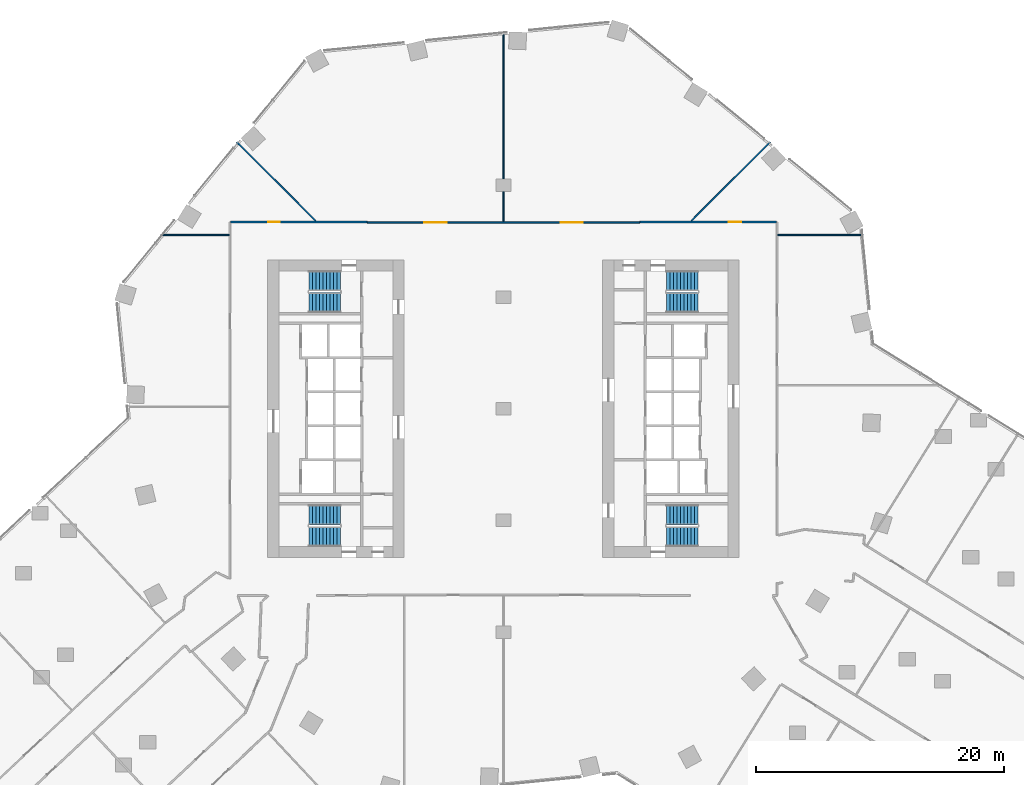
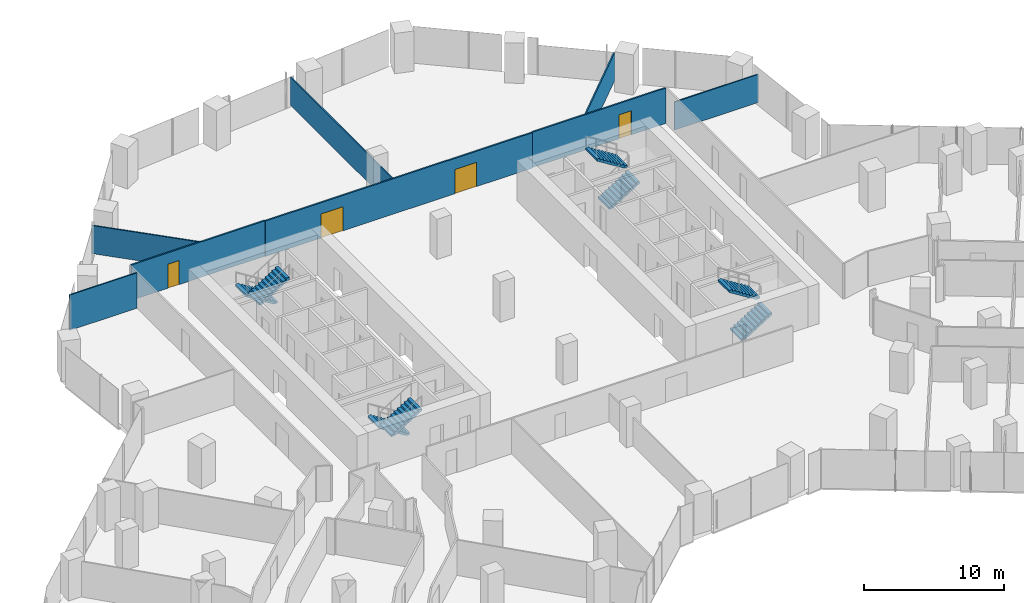
# One storey, part 32 of 33: 8 stair flights, 8 walls, 4 doors, 4 openings, 4 elements without a shape of their own.
"""IFC4 building model written with IfcOpenShell, lengths in metres."""

from ifc_helpers import new_model, si_unit, direction, frame, frame_2d, origin, place, context, subcontext, project, spatial, polyline, rectangle, outline, extrude, material, layer, layer_set, type_object, element, fill, aggregate, save


model = new_model("IFC4")

# Units and contexts
model_context = context("Model", 3, precision=1e-05, world=origin(), true_north=direction((0.0, 1.0)))
body_context = subcontext(model_context, "Body", "Model", "MODEL_VIEW")
ifc_project = project(units=[si_unit("LENGTHUNIT", "METRE"), si_unit("AREAUNIT", "SQUARE_METRE"), si_unit("VOLUMEUNIT", "CUBIC_METRE"), si_unit("PLANEANGLEUNIT", "RADIAN"), si_unit("MASSUNIT", "GRAM", prefix="KILO")], contexts=[model_context])

# Site, building, storey
site_placement = place(None, origin())
site = spatial("IfcSite", under=ifc_project, at=site_placement, CompositionType="ELEMENT")
building_placement = place(site_placement, origin())
building = spatial("IfcBuilding", under=site, at=building_placement, Name="Orlundy Tower", CompositionType="ELEMENT")
storey_placement = place(building_placement, frame((0.0, 0.0, 51.300048828125)))
storey = spatial("IfcBuildingStorey", under=building, at=storey_placement, Name="L11", CompositionType="ELEMENT", Elevation=51.300048828125)

# Walls
ifc_material_1 = material(Name="Gypsum board partition")
ifc_layer_1 = layer(ifc_material_1, 0.10009765625)
ifc_layer_set_1 = layer_set([ifc_layer_1], Name="Floor partition 100")
wall_type_1 = type_object("IfcWallType", Name="Floor partition 100", PredefinedType="PARTITIONING", material=ifc_layer_set_1)
wall_1_placement = place(storey_placement, frame((-27.635986328125, 14.0, 0.0), z_axis=(0.0, 0.0, 1.0), x_axis=(1.0, 0.0, 0.0)))
element("IfcWall", 1, at=wall_1_placement, inside=storey, type_object=wall_type_1, Name="wall-int-L11-037", PredefinedType="PARTITIONING", context=body_context, shape_type="SweptSolid", body=[
    extrude(rectangle(XDim=5.52294921875, YDim=0.10009765625, at=frame_2d((2.761474609375, 0.0))), origin(), (0.0, 0.0, 1.0), 3.079833984375),
])
ifc_material_2 = material(Name="Gypsum board partition")
ifc_layer_2 = layer(ifc_material_2, 0.10009765625)
ifc_layer_set_2 = layer_set([ifc_layer_2], Name="Floor partition 100 B")
wall_type_2 = type_object("IfcWallType", Name="Floor partition 100 B", PredefinedType="PARTITIONING", material=ifc_layer_set_2)
wall_2_placement = place(storey_placement, frame((-21.4951171875, 21.493896484375, 0.0), z_axis=(0.0, 0.0, 1.0), x_axis=(0.707120384757, -0.707093177355, 0.0)))
element("IfcWall", 2, at=wall_2_placement, inside=storey, type_object=wall_type_2, Name="wall-int-L11-016", PredefinedType="PARTITIONING", context=body_context, shape_type="SweptSolid", body=[
    extrude(rectangle(XDim=8.973388671875, YDim=0.10009765625, at=frame_2d((4.48681640625, 0.0))), origin(), (0.0, 0.0, 1.0), 2.445068359375),
])
wall_3_placement = place(storey_placement, frame((22.113037109375, 14.0, 0.0), z_axis=(0.0, 0.0, 1.0), x_axis=(1.0, 0.0, 0.0)))
element("IfcWall", 3, at=wall_3_placement, inside=storey, type_object=wall_type_2, Name="wall-int-L11-038", PredefinedType="PARTITIONING", context=body_context, shape_type="SweptSolid", body=[
    extrude(rectangle(XDim=6.89599609375, YDim=0.10009765625, at=frame_2d((3.447998046875, 0.0))), origin(), (0.0, 0.0, 1.0), 2.445068359375),
])
wall_4_placement = place(storey_placement, frame((15.14892578125, 15.14892578125, 0.0), z_axis=(0.0, 0.0, 1.0), x_axis=(0.707106781187, 0.707106781187, 0.0)))
element("IfcWall", 4, at=wall_4_placement, inside=storey, type_object=wall_type_2, Name="wall-int-L11-056", PredefinedType="PARTITIONING", context=body_context, shape_type="SweptSolid", body=[
    extrude(rectangle(XDim=8.974853515625, YDim=0.10009765625, at=frame_2d((4.4873046875, 0.0))), origin(), (0.0, 0.0, 1.0), 2.445068359375),
])
wall_5_placement = place(storey_placement, frame((0.0, 15.06298828125, 0.0), z_axis=(0.0, 0.0, 1.0), x_axis=(0.0, 1.0, 0.0)))
element("IfcWall", 5, at=wall_5_placement, inside=storey, type_object=wall_type_2, Name="wall-int-L11-079", PredefinedType="PARTITIONING", context=body_context, shape_type="SweptSolid", body=[
    extrude(rectangle(XDim=15.3349609375, YDim=0.10009765625, at=frame_2d((7.66748046875, 0.0))), origin(), (0.0, 0.0, 1.0), 2.445068359375),
])

# Wall, openings, doors
ifc_material_3 = material(Name="Gypsum board partition, double layer")
ifc_layer_3 = layer(ifc_material_3, 0.125)
ifc_layer_set_3 = layer_set([ifc_layer_3], Name="Floor partition 125")
wall_type_3 = type_object("IfcWallType", Name="Floor partition 125", PredefinedType="PARTITIONING", material=ifc_layer_set_3)
wall_6_placement = place(storey_placement, frame((-10.989990234375, 15.0009765625, 0.0), z_axis=(0.0, 0.0, 1.0), x_axis=(1.0, 0.0, 0.0)))
wall_6 = element("IfcWall", 6, at=wall_6_placement, inside=storey, type_object=wall_type_3, Name="wall-int-L11-039", PredefinedType="PARTITIONING", context=body_context, shape_type="SweptSolid", body=[
    extrude(rectangle(XDim=21.97998046875, YDim=0.125, at=frame_2d((10.989990234375, 0.0))), origin(), (0.0, 0.0, 1.0), 3.079833984375),
])
opening_1_placement = place(wall_6_placement, frame((15.590087890625, 0.0, 0.0)))
opening_1 = element("IfcOpeningElement", 7, at=opening_1_placement, cuts=wall_6, Name="Opening 10129", PredefinedType="OPENING", context=body_context, shape_type="SweptSolid", body=[
    extrude(rectangle(XDim=1.800048828125, YDim=2.10009765625, at=frame_2d((0.89990234375, 1.050048828125))), frame((0.0, 0.072509765625, 0.0), z_axis=(0.0, -1.0, 0.0), x_axis=(1.0, 0.0, 0.0)), (0.0, 0.0, 1.0), 0.14501953125),
])
opening_2_placement = place(wall_6_placement, frame((4.60009765625, 0.0, 0.0)))
opening_2 = element("IfcOpeningElement", 8, at=opening_2_placement, cuts=wall_6, Name="Opening 10130", PredefinedType="OPENING", context=body_context, shape_type="SweptSolid", body=[
    extrude(rectangle(XDim=1.800048828125, YDim=2.10009765625, at=frame_2d((0.89990234375, 1.050048828125))), frame((0.0, 0.072509765625, 0.0), z_axis=(0.0, -1.0, 0.0), x_axis=(1.0, 0.0, 0.0)), (0.0, 0.0, 1.0), 0.14501953125),
])
ifc_material_4 = material(Name="Timber door leaf", Category="wood")
door_type_1 = type_object("IfcDoorType", Name="Floor door double 1800 FD30S", OperationType="NOTDEFINED", PredefinedType="DOOR", material=ifc_material_4)
door_1_placement = place(opening_1_placement, origin())
door_1 = element("IfcDoor", 9, at=door_1_placement, inside=storey, type_object=door_type_1, Name="Door 10129", OperationType="DOUBLE_DOOR_SINGLE_SWING", OverallHeight=2.10009765625, OverallWidth=1.800048828125, PredefinedType="DOOR", context=body_context, shape_type="SweptSolid", body=[
    extrude(rectangle(XDim=1.800048828125, YDim=2.10009765625, at=frame_2d((0.89990234375, 1.050048828125))), frame((0.0, 0.02490234375, 0.0), z_axis=(0.0, -1.0, 0.0), x_axis=(1.0, 0.0, 0.0)), (0.0, 0.0, 1.0), 0.050048828125),
])
fill(opening_1, door_1)
door_2_placement = place(opening_2_placement, origin())
door_2 = element("IfcDoor", 10, at=door_2_placement, inside=storey, type_object=door_type_1, Name="Door 10130", OperationType="DOUBLE_DOOR_SINGLE_SWING", OverallHeight=2.10009765625, OverallWidth=1.800048828125, PredefinedType="DOOR", context=body_context, shape_type="SweptSolid", body=[
    extrude(rectangle(XDim=1.800048828125, YDim=2.10009765625, at=frame_2d((0.89990234375, 1.050048828125))), frame((0.0, 0.02490234375, 0.0), z_axis=(0.0, -1.0, 0.0), x_axis=(1.0, 0.0, 0.0)), (0.0, 0.0, 1.0), 0.050048828125),
])
fill(opening_2, door_2)

# Wall, opening, door
wall_7_placement = place(storey_placement, frame((-21.988037109375, 15.051025390625, 0.0), z_axis=(0.0, 0.0, 1.0), x_axis=(1.0, 0.0, 0.0)))
wall_7 = element("IfcWall", 11, at=wall_7_placement, inside=storey, type_object=wall_type_3, Name="wall-int-L11-040", PredefinedType="PARTITIONING", context=body_context, shape_type="SweptSolid", body=[
    extrude(rectangle(XDim=10.9970703125, YDim=0.125, at=frame_2d((5.49853515625, 0.0))), origin(), (0.0, 0.0, 1.0), 3.079833984375),
])
opening_3_placement = place(wall_7_placement, frame((3.03759765625, 0.0, 0.0)))
opening_3 = element("IfcOpeningElement", 12, at=opening_3_placement, cuts=wall_7, Name="Opening 10131", PredefinedType="OPENING", context=body_context, shape_type="SweptSolid", body=[
    extrude(rectangle(XDim=0.89990234375, YDim=2.10009765625, at=frame_2d((0.449951171875, 1.050048828125))), frame((0.0, 0.072509765625, 0.0), z_axis=(0.0, -1.0, 0.0), x_axis=(1.0, 0.0, 0.0)), (0.0, 0.0, 1.0), 0.14501953125),
])
ifc_material_5 = material(Name="Timber door leaf", Category="wood")
door_type_2 = type_object("IfcDoorType", Name="Floor door single 900 FD30S", OperationType="NOTDEFINED", PredefinedType="DOOR", material=ifc_material_5)
door_3_placement = place(opening_3_placement, origin())
door_3 = element("IfcDoor", 13, at=door_3_placement, inside=storey, type_object=door_type_2, Name="Door 10131", OperationType="SINGLE_SWING_LEFT", OverallHeight=2.10009765625, OverallWidth=0.89990234375, PredefinedType="DOOR", context=body_context, shape_type="SweptSolid", body=[
    extrude(rectangle(XDim=0.89990234375, YDim=2.10009765625, at=frame_2d((0.449951171875, 1.050048828125))), frame((0.0, 0.02490234375, 0.0), z_axis=(0.0, -1.0, 0.0), x_axis=(1.0, 0.0, 0.0)), (0.0, 0.0, 1.0), 0.050048828125),
])
fill(opening_3, door_3)

wall_8_placement = place(storey_placement, frame((10.990966796875, 15.051025390625, 0.0), z_axis=(0.0, 0.0, 1.0), x_axis=(1.0, 0.0, 0.0)))
wall_8 = element("IfcWall", 14, at=wall_8_placement, inside=storey, type_object=wall_type_3, Name="wall-int-L11-041", PredefinedType="PARTITIONING", context=body_context, shape_type="SweptSolid", body=[
    extrude(rectangle(XDim=10.9970703125, YDim=0.125, at=frame_2d((5.49853515625, 0.0))), origin(), (0.0, 0.0, 1.0), 3.079833984375),
])
opening_4_placement = place(wall_8_placement, frame((7.159912109375, 0.0, 0.0)))
opening_4 = element("IfcOpeningElement", 15, at=opening_4_placement, cuts=wall_8, Name="Opening 10128", PredefinedType="OPENING", context=body_context, shape_type="SweptSolid", body=[
    extrude(rectangle(XDim=1.0, YDim=2.10009765625, at=frame_2d((0.5, 1.050048828125))), frame((0.0, 0.072509765625, 0.0), z_axis=(0.0, -1.0, 0.0), x_axis=(1.0, 0.0, 0.0)), (0.0, 0.0, 1.0), 0.14501953125),
])
ifc_material_6 = material(Name="Timber door leaf", Category="wood")
door_type_3 = type_object("IfcDoorType", Name="Floor door wide 1000 FD30S", OperationType="NOTDEFINED", PredefinedType="DOOR", material=ifc_material_6)
door_4_placement = place(opening_4_placement, origin())
door_4 = element("IfcDoor", 16, at=door_4_placement, inside=storey, type_object=door_type_3, Name="Door 10128", OperationType="SINGLE_SWING_RIGHT", OverallHeight=2.10009765625, OverallWidth=1.0, PredefinedType="DOOR", context=body_context, shape_type="SweptSolid", body=[
    extrude(rectangle(XDim=1.0, YDim=2.10009765625, at=frame_2d((0.5, 1.050048828125))), frame((0.0, 0.02490234375, 0.0), z_axis=(0.0, -1.0, 0.0), x_axis=(1.0, 0.0, 0.0)), (0.0, 0.0, 1.0), 0.050048828125),
])
fill(opening_4, door_4)

# Stair, stair flights
ifc_material_7 = material(Name="Concrete C50/60", Category="concrete")
stair_type = type_object("IfcStairType", Name="Exit Stair 20 risers", PredefinedType="HALF_TURN_STAIR", material=ifc_material_7)
stair_1_placement = place(storey_placement, origin())
stair_1 = element("IfcStair", 17, at=stair_1_placement, inside=storey, type_object=stair_type, Name="L11 Exit Stair ST-W1", PredefinedType="HALF_TURN_STAIR")
ifc_material_8 = material(Name="Concrete C50/60", Category="concrete")
stair_flight_type = type_object("IfcStairFlightType", Name="Stair Flight 10 risers", PredefinedType="STRAIGHT", material=ifc_material_8)
stair_flight_1_placement = place(storey_placement, frame((-13.139892578125, 10.300048828125, 0.0), z_axis=(0.0, 0.0, 1.0), x_axis=(-1.0, 0.0, 0.0)))
stair_flight_1 = element("IfcStairFlight", 18, at=stair_flight_1_placement, type_object=stair_flight_type, Name="ST-W1 flight 1", NumberOfRisers=10, NumberOfTreads=9, PredefinedType="STRAIGHT", RiserHeight=0.175, TreadLength=0.28, context=body_context, shape_type="SweptSolid", body=[
    extrude(outline(polyline([(0.0, 0.0), (0.0, 0.175048828125), (0.280029296875, 0.175048828125), (0.280029296875, 0.35009765625), (0.56005859375, 0.35009765625), (0.56005859375, 0.52490234375), (0.840087890625, 0.52490234375), (0.840087890625, 0.699951171875), (1.1201171875, 0.699951171875), (1.1201171875, 0.875), (1.39990234375, 0.875), (1.39990234375, 1.050048828125), (1.679931640625, 1.050048828125), (1.679931640625, 1.22509765625), (1.9599609375, 1.22509765625), (1.9599609375, 1.39990234375), (2.239990234375, 1.39990234375), (2.239990234375, 1.574951171875), (2.52001953125, 1.574951171875), (2.52001953125, 1.75), (2.52001953125, 1.398193359375), (0.28271484375, 0.0), (0.0, 0.0)])), frame((0.0, 0.800048828125, 0.0), z_axis=(0.0, -1.0, 0.0), x_axis=(1.0, 0.0, 0.0)), (0.0, 0.0, 1.0), 1.60009765625),
])
stair_flight_2_placement = place(storey_placement, frame((-15.659912109375, 8.550048828125, 1.75), z_axis=(0.0, 0.0, 1.0), x_axis=(1.0, 0.0, 0.0)))
stair_flight_2 = element("IfcStairFlight", 19, at=stair_flight_2_placement, type_object=stair_flight_type, Name="ST-W1 flight 2", NumberOfRisers=10, NumberOfTreads=9, PredefinedType="STRAIGHT", RiserHeight=0.175, TreadLength=0.28, context=body_context, shape_type="SweptSolid", body=[
    extrude(outline(polyline([(0.0, 0.0), (0.0, 0.175048828125), (0.280029296875, 0.175048828125), (0.280029296875, 0.35009765625), (0.56005859375, 0.35009765625), (0.56005859375, 0.52490234375), (0.840087890625, 0.52490234375), (0.840087890625, 0.699951171875), (1.1201171875, 0.699951171875), (1.1201171875, 0.875), (1.39990234375, 0.875), (1.39990234375, 1.050048828125), (1.679931640625, 1.050048828125), (1.679931640625, 1.22509765625), (1.9599609375, 1.22509765625), (1.9599609375, 1.39990234375), (2.239990234375, 1.39990234375), (2.239990234375, 1.574951171875), (2.52001953125, 1.574951171875), (2.52001953125, 1.75), (2.52001953125, 1.398193359375), (0.28271484375, 0.0), (0.0, 0.0)])), frame((0.0, 0.800048828125, 0.0), z_axis=(0.0, -1.0, 0.0), x_axis=(1.0, 0.0, 0.0)), (0.0, 0.0, 1.0), 1.60009765625),
])
aggregate(stair_1, [stair_flight_1, stair_flight_2])

stair_2_placement = place(storey_placement, origin())
stair_2 = element("IfcStair", 20, at=stair_2_placement, inside=storey, type_object=stair_type, Name="L11 Exit Stair ST-W2", PredefinedType="HALF_TURN_STAIR")
stair_flight_3_placement = place(storey_placement, frame((-13.139892578125, -8.550048828125, 0.0), z_axis=(0.0, 0.0, 1.0), x_axis=(-1.0, 0.0, 0.0)))
stair_flight_3 = element("IfcStairFlight", 21, at=stair_flight_3_placement, type_object=stair_flight_type, Name="ST-W2 flight 1", NumberOfRisers=10, NumberOfTreads=9, PredefinedType="STRAIGHT", RiserHeight=0.175, TreadLength=0.28, context=body_context, shape_type="SweptSolid", body=[
    extrude(outline(polyline([(0.0, 0.0), (0.0, 0.175048828125), (0.280029296875, 0.175048828125), (0.280029296875, 0.35009765625), (0.56005859375, 0.35009765625), (0.56005859375, 0.52490234375), (0.840087890625, 0.52490234375), (0.840087890625, 0.699951171875), (1.1201171875, 0.699951171875), (1.1201171875, 0.875), (1.39990234375, 0.875), (1.39990234375, 1.050048828125), (1.679931640625, 1.050048828125), (1.679931640625, 1.22509765625), (1.9599609375, 1.22509765625), (1.9599609375, 1.39990234375), (2.239990234375, 1.39990234375), (2.239990234375, 1.574951171875), (2.52001953125, 1.574951171875), (2.52001953125, 1.75), (2.52001953125, 1.398193359375), (0.28271484375, 0.0), (0.0, 0.0)])), frame((0.0, 0.800048828125, 0.0), z_axis=(0.0, -1.0, 0.0), x_axis=(1.0, 0.0, 0.0)), (0.0, 0.0, 1.0), 1.60009765625),
])
stair_flight_4_placement = place(storey_placement, frame((-15.659912109375, -10.300048828125, 1.75), z_axis=(0.0, 0.0, 1.0), x_axis=(1.0, 0.0, 0.0)))
stair_flight_4 = element("IfcStairFlight", 22, at=stair_flight_4_placement, type_object=stair_flight_type, Name="ST-W2 flight 2", NumberOfRisers=10, NumberOfTreads=9, PredefinedType="STRAIGHT", RiserHeight=0.175, TreadLength=0.28, context=body_context, shape_type="SweptSolid", body=[
    extrude(outline(polyline([(0.0, 0.0), (0.0, 0.175048828125), (0.280029296875, 0.175048828125), (0.280029296875, 0.35009765625), (0.56005859375, 0.35009765625), (0.56005859375, 0.52490234375), (0.840087890625, 0.52490234375), (0.840087890625, 0.699951171875), (1.1201171875, 0.699951171875), (1.1201171875, 0.875), (1.39990234375, 0.875), (1.39990234375, 1.050048828125), (1.679931640625, 1.050048828125), (1.679931640625, 1.22509765625), (1.9599609375, 1.22509765625), (1.9599609375, 1.39990234375), (2.239990234375, 1.39990234375), (2.239990234375, 1.574951171875), (2.52001953125, 1.574951171875), (2.52001953125, 1.75), (2.52001953125, 1.398193359375), (0.28271484375, 0.0), (0.0, 0.0)])), frame((0.0, 0.800048828125, 0.0), z_axis=(0.0, -1.0, 0.0), x_axis=(1.0, 0.0, 0.0)), (0.0, 0.0, 1.0), 1.60009765625),
])
aggregate(stair_2, [stair_flight_3, stair_flight_4])

stair_3_placement = place(storey_placement, origin())
stair_3 = element("IfcStair", 23, at=stair_3_placement, inside=storey, type_object=stair_type, Name="L11 Exit Stair ST-E1", PredefinedType="HALF_TURN_STAIR")
stair_flight_5_placement = place(storey_placement, frame((13.139892578125, -10.300048828125, 0.0), z_axis=(0.0, 0.0, 1.0), x_axis=(1.0, 0.0, 0.0)))
stair_flight_5 = element("IfcStairFlight", 24, at=stair_flight_5_placement, type_object=stair_flight_type, Name="ST-E1 flight 1", NumberOfRisers=10, NumberOfTreads=9, PredefinedType="STRAIGHT", RiserHeight=0.175, TreadLength=0.28, context=body_context, shape_type="SweptSolid", body=[
    extrude(outline(polyline([(0.0, 0.0), (0.0, 0.175048828125), (0.280029296875, 0.175048828125), (0.280029296875, 0.35009765625), (0.56005859375, 0.35009765625), (0.56005859375, 0.52490234375), (0.840087890625, 0.52490234375), (0.840087890625, 0.699951171875), (1.1201171875, 0.699951171875), (1.1201171875, 0.875), (1.39990234375, 0.875), (1.39990234375, 1.050048828125), (1.679931640625, 1.050048828125), (1.679931640625, 1.22509765625), (1.9599609375, 1.22509765625), (1.9599609375, 1.39990234375), (2.239990234375, 1.39990234375), (2.239990234375, 1.574951171875), (2.52001953125, 1.574951171875), (2.52001953125, 1.75), (2.52001953125, 1.398193359375), (0.28271484375, 0.0), (0.0, 0.0)])), frame((0.0, 0.800048828125, 0.0), z_axis=(0.0, -1.0, 0.0), x_axis=(1.0, 0.0, 0.0)), (0.0, 0.0, 1.0), 1.60009765625),
])
stair_flight_6_placement = place(storey_placement, frame((15.659912109375, -8.550048828125, 1.75), z_axis=(0.0, 0.0, 1.0), x_axis=(-1.0, 0.0, 0.0)))
stair_flight_6 = element("IfcStairFlight", 25, at=stair_flight_6_placement, type_object=stair_flight_type, Name="ST-E1 flight 2", NumberOfRisers=10, NumberOfTreads=9, PredefinedType="STRAIGHT", RiserHeight=0.175, TreadLength=0.28, context=body_context, shape_type="SweptSolid", body=[
    extrude(outline(polyline([(0.0, 0.0), (0.0, 0.175048828125), (0.280029296875, 0.175048828125), (0.280029296875, 0.35009765625), (0.56005859375, 0.35009765625), (0.56005859375, 0.52490234375), (0.840087890625, 0.52490234375), (0.840087890625, 0.699951171875), (1.1201171875, 0.699951171875), (1.1201171875, 0.875), (1.39990234375, 0.875), (1.39990234375, 1.050048828125), (1.679931640625, 1.050048828125), (1.679931640625, 1.22509765625), (1.9599609375, 1.22509765625), (1.9599609375, 1.39990234375), (2.239990234375, 1.39990234375), (2.239990234375, 1.574951171875), (2.52001953125, 1.574951171875), (2.52001953125, 1.75), (2.52001953125, 1.398193359375), (0.28271484375, 0.0), (0.0, 0.0)])), frame((0.0, 0.800048828125, 0.0), z_axis=(0.0, -1.0, 0.0), x_axis=(1.0, 0.0, 0.0)), (0.0, 0.0, 1.0), 1.60009765625),
])
aggregate(stair_3, [stair_flight_5, stair_flight_6])

stair_4_placement = place(storey_placement, origin())
stair_4 = element("IfcStair", 26, at=stair_4_placement, inside=storey, type_object=stair_type, Name="L11 Exit Stair ST-E2", PredefinedType="HALF_TURN_STAIR")
stair_flight_7_placement = place(storey_placement, frame((13.139892578125, 8.550048828125, 0.0), z_axis=(0.0, 0.0, 1.0), x_axis=(1.0, 0.0, 0.0)))
stair_flight_7 = element("IfcStairFlight", 27, at=stair_flight_7_placement, type_object=stair_flight_type, Name="ST-E2 flight 1", NumberOfRisers=10, NumberOfTreads=9, PredefinedType="STRAIGHT", RiserHeight=0.175, TreadLength=0.28, context=body_context, shape_type="SweptSolid", body=[
    extrude(outline(polyline([(0.0, 0.0), (0.0, 0.175048828125), (0.280029296875, 0.175048828125), (0.280029296875, 0.35009765625), (0.56005859375, 0.35009765625), (0.56005859375, 0.52490234375), (0.840087890625, 0.52490234375), (0.840087890625, 0.699951171875), (1.1201171875, 0.699951171875), (1.1201171875, 0.875), (1.39990234375, 0.875), (1.39990234375, 1.050048828125), (1.679931640625, 1.050048828125), (1.679931640625, 1.22509765625), (1.9599609375, 1.22509765625), (1.9599609375, 1.39990234375), (2.239990234375, 1.39990234375), (2.239990234375, 1.574951171875), (2.52001953125, 1.574951171875), (2.52001953125, 1.75), (2.52001953125, 1.398193359375), (0.28271484375, 0.0), (0.0, 0.0)])), frame((0.0, 0.800048828125, 0.0), z_axis=(0.0, -1.0, 0.0), x_axis=(1.0, 0.0, 0.0)), (0.0, 0.0, 1.0), 1.60009765625),
])
stair_flight_8_placement = place(storey_placement, frame((15.659912109375, 10.300048828125, 1.75), z_axis=(0.0, 0.0, 1.0), x_axis=(-1.0, 0.0, 0.0)))
stair_flight_8 = element("IfcStairFlight", 28, at=stair_flight_8_placement, type_object=stair_flight_type, Name="ST-E2 flight 2", NumberOfRisers=10, NumberOfTreads=9, PredefinedType="STRAIGHT", RiserHeight=0.175, TreadLength=0.28, context=body_context, shape_type="SweptSolid", body=[
    extrude(outline(polyline([(0.0, 0.0), (0.0, 0.175048828125), (0.280029296875, 0.175048828125), (0.280029296875, 0.35009765625), (0.56005859375, 0.35009765625), (0.56005859375, 0.52490234375), (0.840087890625, 0.52490234375), (0.840087890625, 0.699951171875), (1.1201171875, 0.699951171875), (1.1201171875, 0.875), (1.39990234375, 0.875), (1.39990234375, 1.050048828125), (1.679931640625, 1.050048828125), (1.679931640625, 1.22509765625), (1.9599609375, 1.22509765625), (1.9599609375, 1.39990234375), (2.239990234375, 1.39990234375), (2.239990234375, 1.574951171875), (2.52001953125, 1.574951171875), (2.52001953125, 1.75), (2.52001953125, 1.398193359375), (0.28271484375, 0.0), (0.0, 0.0)])), frame((0.0, 0.800048828125, 0.0), z_axis=(0.0, -1.0, 0.0), x_axis=(1.0, 0.0, 0.0)), (0.0, 0.0, 1.0), 1.60009765625),
])
aggregate(stair_4, [stair_flight_7, stair_flight_8])

save(model, "model.ifc")
